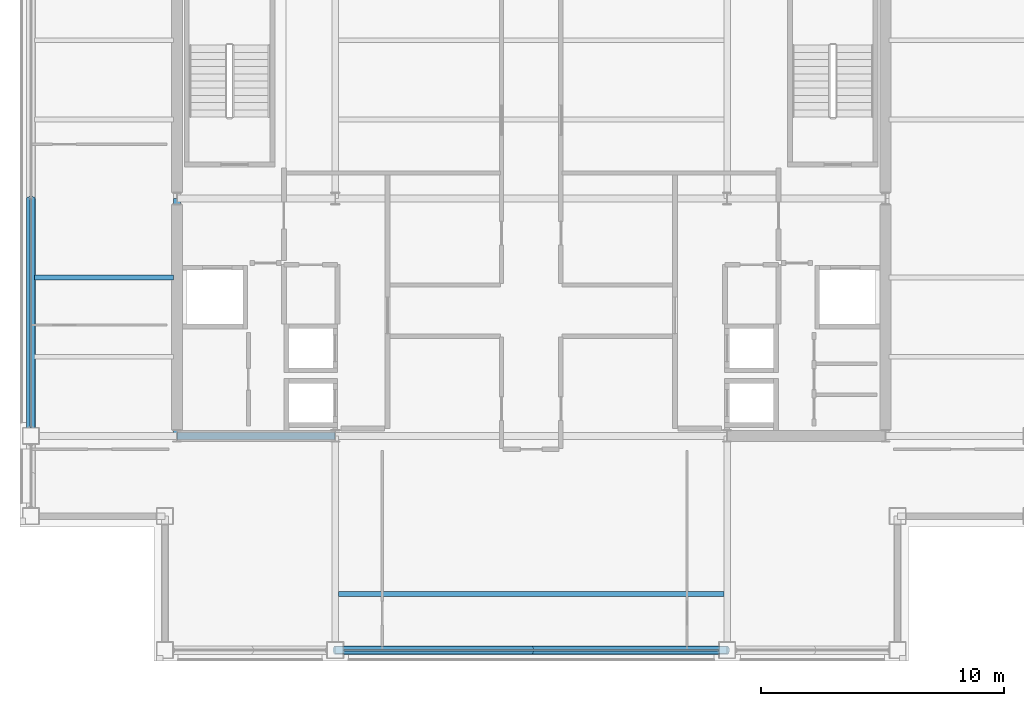
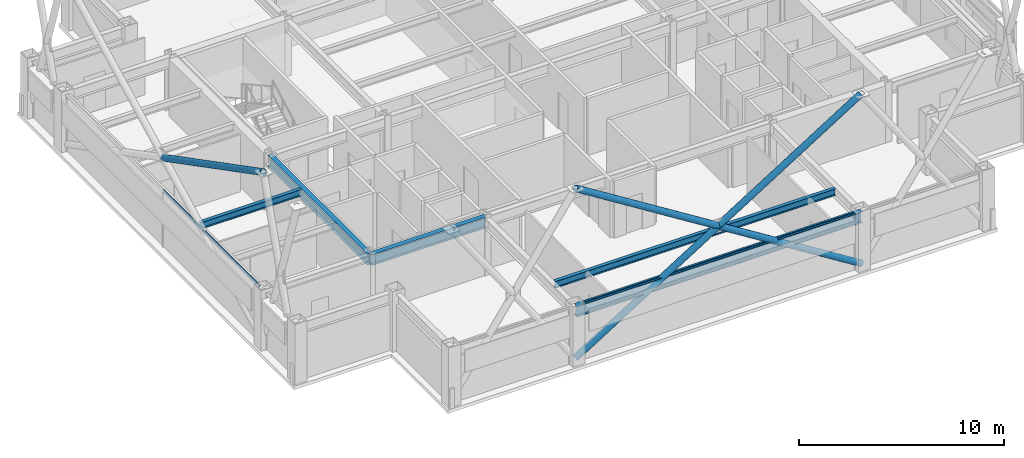
# One storey, part 7 of 33: 6 members, 5 beams, 2 elements without a shape of their own.
"""IFC4 building model written with IfcOpenShell, lengths in metres."""

from ifc_helpers import new_model, si_unit, direction, frame, origin, origin_2d, place, context, subcontext, project, spatial, hollow_rectangle, hollow_circle, i_section, extrude, material, layer, layer_set, material_profile, profile_set, type_object, element, aggregate, save


model = new_model("IFC4")

# Units and contexts
model_context = context("Model", 3, precision=1e-05, world=origin(), true_north=direction((0.0, 1.0)))
body_context = subcontext(model_context, "Body", "Model", "MODEL_VIEW")
ifc_project = project(units=[si_unit("LENGTHUNIT", "METRE"), si_unit("AREAUNIT", "SQUARE_METRE"), si_unit("VOLUMEUNIT", "CUBIC_METRE"), si_unit("PLANEANGLEUNIT", "RADIAN"), si_unit("MASSUNIT", "GRAM", prefix="KILO")], contexts=[model_context])

# Site, building, storey
site_placement = place(None, origin())
site = spatial("IfcSite", under=ifc_project, at=site_placement, CompositionType="ELEMENT")
building_placement = place(site_placement, origin())
building = spatial("IfcBuilding", under=site, at=building_placement, Name="Brelmoor Portico Tower", CompositionType="ELEMENT")
storey_placement = place(building_placement, frame((0.0, 0.0, 183.89990234375)))
storey = spatial("IfcBuildingStorey", under=building, at=storey_placement, Name="L48", CompositionType="ELEMENT", Elevation=183.89990234375)

# Beams
ifc_material_1 = material(Name="Steel Q355B", Category="steel")
ifc_material_profile_1 = material_profile(ifc_material_1, i_section(OverallWidth=0.199951171875, OverallDepth=0.39990234375, WebThickness=0.008056640625, FlangeThickness=0.012939453125, at=origin_2d()), Name="HN 400x200x8x13")
ifc_profile_set_1 = profile_set([ifc_material_profile_1], Name="Steel Q355B")
beam_type_1 = type_object("IfcBeamType", Name="BM-JS-400", PredefinedType="JOIST", material=ifc_profile_set_1)
beam_1_placement = place(storey_placement, frame((-7.909912109375, -16.25, 3.2001953125), z_axis=(1.0, 0.0, 0.0), x_axis=(0.0, 1.0, 0.0)))
element("IfcBeam", 1, at=beam_1_placement, inside=storey, type_object=beam_type_1, Name="L48 Secondary Composite Joist JS-C01", PredefinedType="JOIST", context=body_context, shape_type="SweptSolid", body=[
    extrude(i_section(OverallWidth=0.199951171875, OverallDepth=0.39990234375, WebThickness=0.008056640625, FlangeThickness=0.012939453125, at=origin_2d()), origin(), (0.0, 0.0, 1.0), 15.81982421875),
])
beam_2_placement = place(storey_placement, frame((-20.409912109375, -3.25, 3.2001953125), z_axis=(1.0, 0.0, 0.0), x_axis=(0.0, 1.0, 0.0)))
element("IfcBeam", 2, at=beam_2_placement, inside=storey, type_object=beam_type_1, Name="L48 Secondary Wing Joist JS-W06", PredefinedType="JOIST", context=body_context, shape_type="SweptSolid", body=[
    extrude(i_section(OverallWidth=0.199951171875, OverallDepth=0.39990234375, WebThickness=0.008056640625, FlangeThickness=0.012939453125, at=origin_2d()), origin(), (0.0, 0.0, 1.0), 5.719970703125),
])
ifc_material_profile_2 = material_profile(ifc_material_1, i_section(OverallWidth=0.280029296875, OverallDepth=0.64990234375, WebThickness=0.012939453125, FlangeThickness=0.02197265625, at=origin_2d()), Name="HN 650x280x13x22")
ifc_profile_set_2 = profile_set([ifc_material_profile_2], Name="Steel Q355B")
beam_type_2 = type_object("IfcBeamType", Name="BM-PG-650", PredefinedType="BEAM", material=ifc_profile_set_2)
beam_3_placement = place(storey_placement, frame((-14.550048828125, -9.75, 3.0751953125), z_axis=(0.0, 1.0, 0.0), x_axis=(-1.0, 0.0, 0.0)))
element("IfcBeam", 3, at=beam_3_placement, inside=storey, type_object=beam_type_2, Name="L48 Primary Floor Girder PG-01", PredefinedType="BEAM", context=body_context, shape_type="SweptSolid", body=[
    extrude(i_section(OverallWidth=0.280029296875, OverallDepth=0.64990234375, WebThickness=0.012939453125, FlangeThickness=0.02197265625, at=origin_2d()), origin(), (0.0, 0.0, 1.0), 9.75),
])
beam_4_placement = place(storey_placement, frame((-14.550048828125, -9.75, 3.0751953125), z_axis=(1.0, 0.0, 0.0), x_axis=(0.0, 1.0, 0.0)))
element("IfcBeam", 4, at=beam_4_placement, inside=storey, type_object=beam_type_2, Name="L48 Primary Floor Girder PG-12", PredefinedType="BEAM", context=body_context, shape_type="SweptSolid", body=[
    extrude(i_section(OverallWidth=0.280029296875, OverallDepth=0.64990234375, WebThickness=0.012939453125, FlangeThickness=0.02197265625, at=origin_2d()), origin(), (0.0, 0.0, 1.0), 6.5),
])
ifc_material_profile_3 = material_profile(ifc_material_1, i_section(OverallWidth=0.280029296875, OverallDepth=0.64990234375, WebThickness=0.012939453125, FlangeThickness=0.02197265625, at=origin_2d()), Name="HN 650x280x13x22")
ifc_profile_set_3 = profile_set([ifc_material_profile_3], Name="Steel Q355B")
beam_type_3 = type_object("IfcBeamType", Name="BM-SP-650", PredefinedType="SPANDREL", material=ifc_profile_set_3)
beam_5_placement = place(storey_placement, frame((-8.050048828125, -18.550048828125, 3.0751953125), z_axis=(1.0, 0.0, 0.0), x_axis=(0.0, 1.0, 0.0)))
element("IfcBeam", 5, at=beam_5_placement, inside=storey, type_object=beam_type_3, Name="L48 Perimeter Spandrel Beam SP-02", PredefinedType="SPANDREL", context=body_context, shape_type="SweptSolid", body=[
    extrude(i_section(OverallWidth=0.280029296875, OverallDepth=0.64990234375, WebThickness=0.012939453125, FlangeThickness=0.02197265625, at=origin_2d()), origin(), (0.0, 0.0, 1.0), 16.10009765625),
])

# Members
ifc_material_profile_4 = material_profile(ifc_material_1, hollow_circle(Radius=0.177978515625, WallThickness=0.01611328125, at=origin_2d()), Name="CHS 356x16")
ifc_profile_set_4 = profile_set([ifc_material_profile_4], Name="Steel Q355B")
member_type_1 = type_object("IfcMemberType", Name="MB-BELT-DIAG2", PredefinedType="BRACE", material=ifc_profile_set_4)
member_1_placement = place(storey_placement, frame((-8.050048828125, -18.550048828125, 0.25), z_axis=(0.847109476093, 0.0, 0.531418418493), x_axis=(0.0, 1.0, 0.0)))
element("IfcMember", 6, at=member_1_placement, inside=storey, type_object=member_type_1, Name="L48 Continuous Mega-X Brace 106A", PredefinedType="BRACE", context=body_context, shape_type="SweptSolid", body=[
    extrude(hollow_circle(Radius=0.177978515625, WallThickness=0.01611328125, at=origin_2d()), origin(), (0.0, 0.0, 1.0), 19.005859375),
])
for number, where, z_axis, x_axis, name in (
    (7, (8.050048828125, -18.550048828125, 0.25), (-0.847109476093, 0.0, 0.531418418493), (0.0, -1.0, 0.0), "L48 Split Mega-X Brace 106B1"),
    (8, (0.0, -18.550048828125, 5.300048828125), (-0.847109476093, 0.0, 0.531418418493), (0.0, -1.0, 0.0), "L48 Split Mega-X Brace 106B2"),
):
    element("IfcMember", number, at=place(storey_placement, frame(where, z_axis=z_axis, x_axis=x_axis)), inside=storey, type_object=member_type_1, Name=name, PredefinedType="BRACE", context=body_context, shape_type="SweptSolid", body=[
        extrude(hollow_circle(Radius=0.177978515625, WallThickness=0.01611328125, at=origin_2d()), origin(), (0.0, 0.0, 1.0), 9.5029296875),
    ])
member_2_placement = place(storey_placement, frame((-20.550048828125, 0.0, 5.300048828125), z_axis=(0.0, -0.887959386012, 0.459921872488), x_axis=(1.0, 0.0, 0.0)))
element("IfcMember", 9, at=member_2_placement, inside=storey, type_object=member_type_1, Name="L48 Split Mega-X Brace 112B2", PredefinedType="BRACE", context=body_context, shape_type="SweptSolid", body=[
    extrude(hollow_circle(Radius=0.177978515625, WallThickness=0.01611328125, at=origin_2d()), origin(), (0.0, 0.0, 1.0), 10.980224609375),
])

# Curtain wall, member
ifc_material_2 = material(Name="Anodised Aluminium Alloy 6063-T6", Category="aluminium")
ifc_layer = layer(ifc_material_2, 0.179931640625)
ifc_layer_set = layer_set([ifc_layer], Name="Anodised Aluminium Alloy 6063-T6")
curtain_wall_type = type_object("IfcCurtainWallType", Name="CW-TOWER-Z3-XB", PredefinedType="NOTDEFINED", material=ifc_layer_set)
curtain_wall_1_placement = place(storey_placement, origin())
curtain_wall_1 = element("IfcCurtainWall", 10, at=curtain_wall_1_placement, inside=storey, type_object=curtain_wall_type, Name="L48 Curtain Wall CW-L48-01-2", PredefinedType="NOTDEFINED")
ifc_material_profile_5 = material_profile(ifc_material_2, hollow_rectangle(XDim=0.06005859375, YDim=0.125, WallThickness=0.00341796875, at=origin_2d()), Name="ALU TRANSOM 60x125")
ifc_profile_set_5 = profile_set([ifc_material_profile_5], Name="Anodised Aluminium Alloy 6063-T6")
member_type_2 = type_object("IfcMemberType", Name="MB-CW-TRAN-125", PredefinedType="USERDEFINED", material=ifc_profile_set_5)
member_3_placement = place(storey_placement, frame((-7.68994140625, -18.550048828125, 3.337646484375), z_axis=(1.0, 0.0, 0.0), x_axis=(0.0, 1.0, 0.0)))
member_3 = element("IfcMember", 11, at=member_3_placement, type_object=member_type_2, Name="CW-L48-01-2 Transom 1-00", ObjectType="TRANSOM", PredefinedType="USERDEFINED", context=body_context, shape_type="SweptSolid", body=[
    extrude(hollow_rectangle(XDim=0.06005859375, YDim=0.125, WallThickness=0.00341796875, at=origin_2d()), origin(), (0.0, 0.0, 1.0), 15.3798828125),
])
aggregate(curtain_wall_1, [member_3])

curtain_wall_2_placement = place(storey_placement, origin())
curtain_wall_2 = element("IfcCurtainWall", 12, at=curtain_wall_2_placement, inside=storey, type_object=curtain_wall_type, Name="L48 Curtain Wall CW-L48-03-2", PredefinedType="NOTDEFINED")
member_4_placement = place(storey_placement, frame((-20.550048828125, -9.389892578125, 3.337646484375), z_axis=(0.0, 1.0, 0.0), x_axis=(-1.0, 0.0, 0.0)))
member_4 = element("IfcMember", 13, at=member_4_placement, type_object=member_type_2, Name="CW-L48-03-2 Transom 1-00", ObjectType="TRANSOM", PredefinedType="USERDEFINED", context=body_context, shape_type="SweptSolid", body=[
    extrude(hollow_rectangle(XDim=0.06005859375, YDim=0.125, WallThickness=0.00341796875, at=origin_2d()), origin(), (0.0, 0.0, 1.0), 9.389892578125),
])
aggregate(curtain_wall_2, [member_4])

save(model, "model.ifc")
